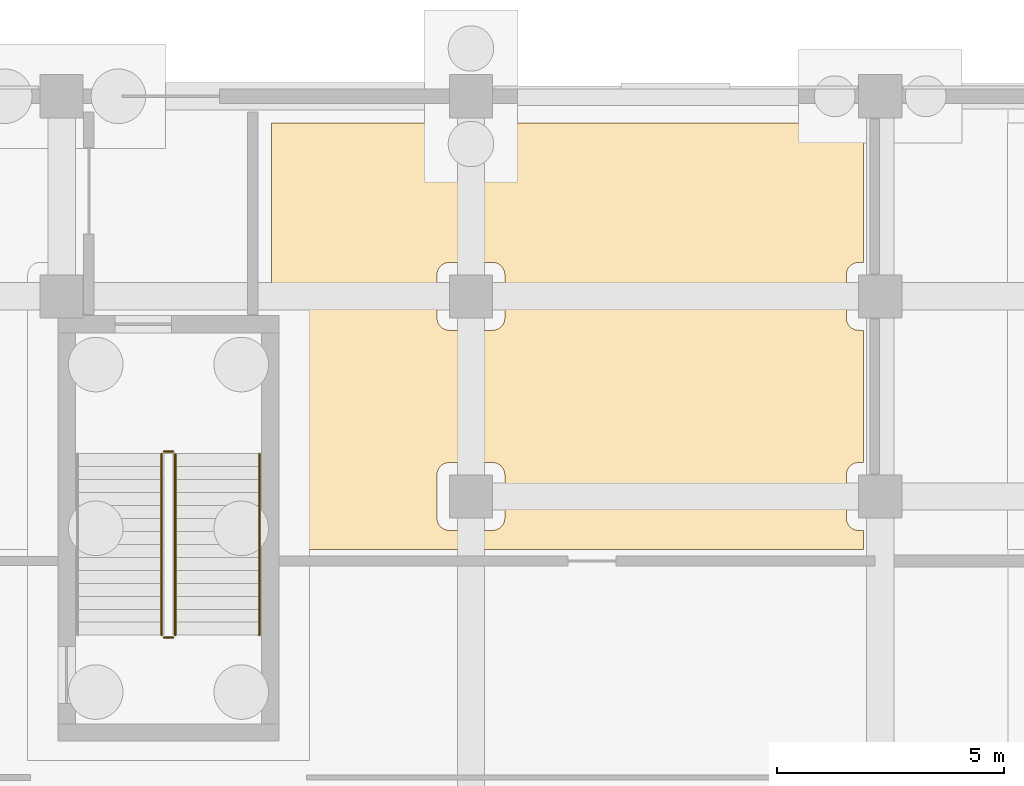
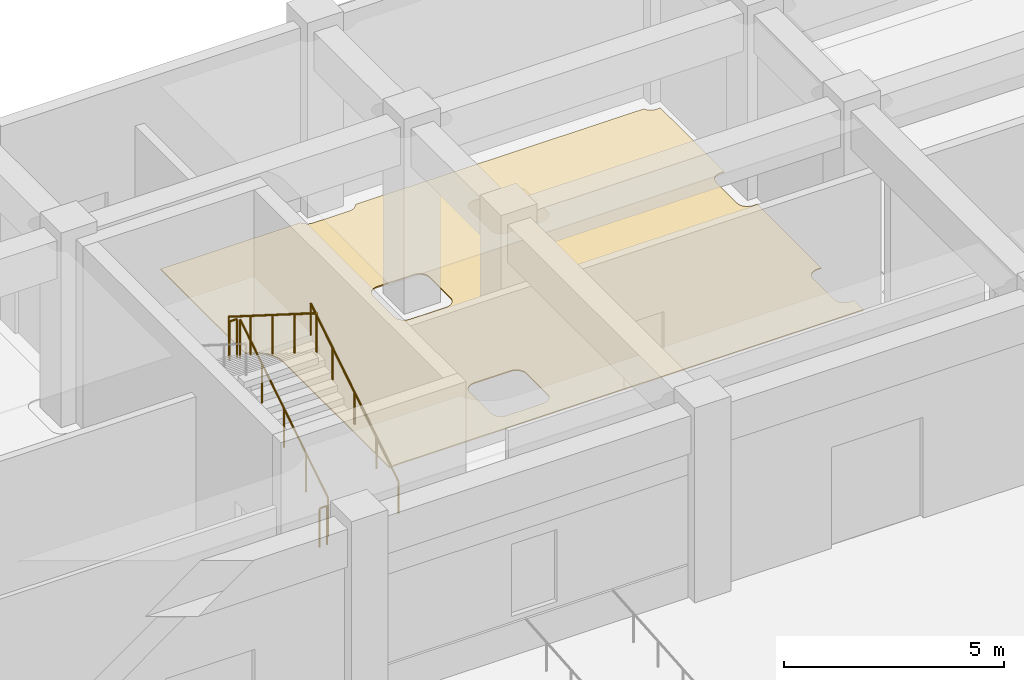
# One storey, part 67 of 74: 5 railings, 1 covering.
"""IFC4 building model written with IfcOpenShell, lengths in metres."""

from ifc_helpers import new_model, si_unit, direction, frame, origin, origin_2d, place, context, subcontext, project, spatial, polyline, circle, outline, extrude, material, layer, layer_set, type_object, element, save


model = new_model("IFC4")

# Units and contexts
model_context = context("Model", 3, precision=1e-05, world=origin(), true_north=direction((0.0, 1.0)))
body_context = subcontext(model_context, "Body", "Model", "MODEL_VIEW")
ifc_project = project(units=[si_unit("LENGTHUNIT", "METRE"), si_unit("AREAUNIT", "SQUARE_METRE"), si_unit("VOLUMEUNIT", "CUBIC_METRE"), si_unit("PLANEANGLEUNIT", "RADIAN"), si_unit("MASSUNIT", "GRAM", prefix="KILO")], contexts=[model_context])

# Site, building, storey
site_placement = place(None, origin())
site = spatial("IfcSite", under=ifc_project, at=site_placement, CompositionType="ELEMENT")
building_placement = place(site_placement, origin())
building = spatial("IfcBuilding", under=site, at=building_placement, Name="Cendralis Terraced Arcade", CompositionType="ELEMENT")
storey_placement = place(building_placement, origin())
storey = spatial("IfcBuildingStorey", under=building, at=storey_placement, Name="L00", CompositionType="ELEMENT", Elevation=0.0)

# Covering
ifc_material_1 = material(Name="Polished Bogota limestone terrazzo flooring", Category="masonry")
ifc_layer = layer(ifc_material_1, 0.030029296875, Name="COV-FLR-TERZ-30")
ifc_layer_set = layer_set([ifc_layer], Name="Polished Bogota limestone terrazzo flooring")
covering_type = type_object("IfcCoveringType", Name="COV-FLR-TERZ-30", PredefinedType="FLOORING", material=ifc_layer_set)
covering_placement = place(storey_placement, origin())
element("IfcCovering", 1, at=covering_placement, inside=storey, type_object=covering_type, Name="Interior Finish Flooring L00-038", PredefinedType="FLOORING", context=body_context, shape_type="SweptSolid", body=[
    extrude(outline(polyline([(107.81005859375, 115.409912109375), (111.480712890625, 115.409912109375), (111.4814453125, 115.40869140625), (111.492919921875, 115.386962890625), (111.493896484375, 115.385498046875), (111.507568359375, 115.364990234375), (111.5087890625, 115.36328125), (111.5244140625, 115.344482421875), (111.525634765625, 115.343017578125), (111.54296875, 115.32568359375), (111.54443359375, 115.32421875), (111.5634765625, 115.30859375), (111.56494140625, 115.3076171875), (111.58544921875, 115.2939453125), (111.5869140625, 115.29296875), (111.608642578125, 115.281494140625), (111.610595703125, 115.280517578125), (111.633056640625, 115.27099609375), (111.635009765625, 115.2705078125), (111.658447265625, 115.263427734375), (111.660400390625, 115.262939453125), (111.684326171875, 115.258056640625), (111.686279296875, 115.2578125), (111.710693359375, 115.25537109375), (111.712646484375, 115.25537109375), (111.72509765625, 115.2548828125), (112.675048828125, 115.2548828125), (112.687255859375, 115.25537109375), (112.689208984375, 115.25537109375), (112.713623046875, 115.2578125), (112.715576171875, 115.258056640625), (112.739501953125, 115.262939453125), (112.74169921875, 115.263427734375), (112.764892578125, 115.2705078125), (112.766845703125, 115.27099609375), (112.78955078125, 115.280517578125), (112.791259765625, 115.281494140625), (112.81298828125, 115.29296875), (112.814697265625, 115.2939453125), (112.8349609375, 115.3076171875), (112.836669921875, 115.30859375), (112.855712890625, 115.32421875), (112.85693359375, 115.32568359375), (112.87451171875, 115.343017578125), (112.875732421875, 115.344482421875), (112.891357421875, 115.36328125), (112.892333984375, 115.364990234375), (112.906005859375, 115.385498046875), (112.906982421875, 115.386962890625), (112.918701171875, 115.40869140625), (112.919189453125, 115.409912109375), (120.480712890625, 115.409912109375), (120.4814453125, 115.40869140625), (120.492919921875, 115.386962890625), (120.493896484375, 115.385498046875), (120.507568359375, 115.364990234375), (120.5087890625, 115.36328125), (120.5244140625, 115.344482421875), (120.525634765625, 115.343017578125), (120.54296875, 115.32568359375), (120.54443359375, 115.32421875), (120.5634765625, 115.30859375), (120.56494140625, 115.3076171875), (120.58544921875, 115.2939453125), (120.5869140625, 115.29296875), (120.608642578125, 115.281494140625), (120.610595703125, 115.280517578125), (120.633056640625, 115.27099609375), (120.635009765625, 115.2705078125), (120.658447265625, 115.263427734375), (120.660400390625, 115.262939453125), (120.684326171875, 115.258056640625), (120.686279296875, 115.2578125), (120.710693359375, 115.25537109375), (120.712646484375, 115.25537109375), (120.72509765625, 115.2548828125), (120.830078125, 115.2548828125), (120.830078125, 112.344970703125), (120.72509765625, 112.344970703125), (120.712646484375, 112.3447265625), (120.710693359375, 112.344482421875), (120.686279296875, 112.34228515625), (120.684326171875, 112.341796875), (120.660400390625, 112.337158203125), (120.658447265625, 112.336669921875), (120.635009765625, 112.32958984375), (120.633056640625, 112.328857421875), (120.610595703125, 112.319580078125), (120.608642578125, 112.318603515625), (120.5869140625, 112.30712890625), (120.58544921875, 112.30615234375), (120.56494140625, 112.29248046875), (120.5634765625, 112.291259765625), (120.54443359375, 112.275634765625), (120.54296875, 112.2744140625), (120.525634765625, 112.257080078125), (120.5244140625, 112.255615234375), (120.5087890625, 112.236572265625), (120.507568359375, 112.235107421875), (120.493896484375, 112.214599609375), (120.492919921875, 112.212890625), (120.4814453125, 112.19140625), (120.48046875, 112.189453125), (120.47119140625, 112.1669921875), (120.470458984375, 112.1650390625), (120.46337890625, 112.1416015625), (120.462890625, 112.1396484375), (120.4580078125, 112.115478515625), (120.457763671875, 112.113525390625), (120.455322265625, 112.089111328125), (120.455322265625, 112.08740234375), (120.455078125, 112.074951171875), (120.455078125, 111.125), (120.455322265625, 111.11279296875), (120.455322265625, 111.11083984375), (120.457763671875, 111.08642578125), (120.4580078125, 111.08447265625), (120.462890625, 111.060302734375), (120.46337890625, 111.058349609375), (120.470458984375, 111.034912109375), (120.47119140625, 111.033203125), (120.48046875, 111.010498046875), (120.4814453125, 111.0087890625), (120.492919921875, 110.987060546875), (120.493896484375, 110.9853515625), (120.507568359375, 110.965087890625), (120.5087890625, 110.96337890625), (120.5244140625, 110.9443359375), (120.525634765625, 110.943115234375), (120.54296875, 110.925537109375), (120.54443359375, 110.92431640625), (120.5634765625, 110.90869140625), (120.56494140625, 110.90771484375), (120.58544921875, 110.893798828125), (120.5869140625, 110.892822265625), (120.608642578125, 110.88134765625), (120.610595703125, 110.880615234375), (120.633056640625, 110.87109375), (120.635009765625, 110.87060546875), (120.658447265625, 110.86328125), (120.660400390625, 110.86279296875), (120.684326171875, 110.858154296875), (120.686279296875, 110.85791015625), (120.710693359375, 110.85546875), (120.712646484375, 110.855224609375), (120.72509765625, 110.85498046875), (120.830078125, 110.85498046875), (120.830078125, 107.945068359375), (120.72509765625, 107.945068359375), (120.712646484375, 107.944580078125), (120.710693359375, 107.944580078125), (120.686279296875, 107.942138671875), (120.684326171875, 107.94189453125), (120.660400390625, 107.93701171875), (120.658447265625, 107.9365234375), (120.635009765625, 107.929443359375), (120.633056640625, 107.928955078125), (120.610595703125, 107.91943359375), (120.608642578125, 107.918701171875), (120.5869140625, 107.906982421875), (120.58544921875, 107.906005859375), (120.56494140625, 107.892333984375), (120.5634765625, 107.891357421875), (120.54443359375, 107.875732421875), (120.54296875, 107.87451171875), (120.525634765625, 107.85693359375), (120.5244140625, 107.855712890625), (120.5087890625, 107.836669921875), (120.507568359375, 107.8349609375), (120.493896484375, 107.814697265625), (120.492919921875, 107.81298828125), (120.4814453125, 107.791259765625), (120.48046875, 107.78955078125), (120.47119140625, 107.766845703125), (120.470458984375, 107.764892578125), (120.46337890625, 107.74169921875), (120.462890625, 107.739501953125), (120.4580078125, 107.715576171875), (120.457763671875, 107.713623046875), (120.455322265625, 107.689208984375), (120.455322265625, 107.687255859375), (120.455078125, 107.675048828125), (120.455078125, 106.72509765625), (120.455322265625, 106.712646484375), (120.455322265625, 106.710693359375), (120.457763671875, 106.686279296875), (120.4580078125, 106.684326171875), (120.462890625, 106.660400390625), (120.46337890625, 106.658447265625), (120.470458984375, 106.635009765625), (120.47119140625, 106.633056640625), (120.48046875, 106.610595703125), (120.4814453125, 106.608642578125), (120.492919921875, 106.5869140625), (120.493896484375, 106.58544921875), (120.507568359375, 106.56494140625), (120.5087890625, 106.5634765625), (120.5244140625, 106.54443359375), (120.525634765625, 106.54296875), (120.54296875, 106.525634765625), (120.54443359375, 106.5244140625), (120.5634765625, 106.5087890625), (120.56494140625, 106.507568359375), (120.58544921875, 106.493896484375), (120.5869140625, 106.492919921875), (120.608642578125, 106.4814453125), (120.610595703125, 106.48046875), (120.633056640625, 106.47119140625), (120.635009765625, 106.470458984375), (120.658447265625, 106.46337890625), (120.660400390625, 106.462890625), (120.684326171875, 106.4580078125), (120.686279296875, 106.457763671875), (120.710693359375, 106.455322265625), (120.712646484375, 106.455322265625), (120.72509765625, 106.455078125), (120.830078125, 106.455078125), (120.830078125, 106.030029296875), (108.639892578125, 106.030029296875), (108.636962890625, 106.030029296875), (108.634033203125, 106.02978515625), (108.630859375, 106.02978515625), (108.625, 106.02978515625), (108.6220703125, 106.029541015625), (108.618896484375, 106.029541015625), (108.615966796875, 106.029296875), (108.55517578125, 106.0263671875), (108.549072265625, 106.02587890625), (108.543212890625, 106.025634765625), (108.537109375, 106.025146484375), (108.525390625, 106.02392578125), (108.519287109375, 106.023193359375), (108.513427734375, 106.0224609375), (108.50732421875, 106.021728515625), (108.447021484375, 106.0126953125), (108.441162109375, 106.01171875), (108.435302734375, 106.0107421875), (108.42919921875, 106.009765625), (108.417724609375, 106.00732421875), (108.41162109375, 106.006103515625), (108.406005859375, 106.0048828125), (108.39990234375, 106.00341796875), (108.389892578125, 106.0009765625), (108.389892578125, 110.800048828125), (108.389892578125, 110.80615234375), (108.389892578125, 110.81201171875), (108.3896484375, 110.818115234375), (108.387451171875, 110.859375), (108.38671875, 110.87158203125), (108.385498046875, 110.88330078125), (108.384033203125, 110.8955078125), (108.3779296875, 110.936279296875), (108.375732421875, 110.9482421875), (108.37353515625, 110.9599609375), (108.370849609375, 110.9716796875), (108.36083984375, 111.01171875), (108.357666015625, 111.023681640625), (108.35400390625, 111.034912109375), (108.350341796875, 111.046630859375), (108.33642578125, 111.08544921875), (108.33203125, 111.0966796875), (108.327392578125, 111.107666015625), (108.322509765625, 111.118896484375), (108.304931640625, 111.15625), (108.29931640625, 111.1669921875), (108.293701171875, 111.177490234375), (108.287841796875, 111.188232421875), (108.2666015625, 111.2236328125), (108.260009765625, 111.23388671875), (108.25341796875, 111.24365234375), (108.246337890625, 111.253662109375), (108.221923828125, 111.286865234375), (108.21435546875, 111.29638671875), (108.206787109375, 111.3056640625), (108.19873046875, 111.31494140625), (108.171142578125, 111.345458984375), (108.16259765625, 111.354248046875), (108.154296875, 111.36279296875), (108.1455078125, 111.37109375), (108.114990234375, 111.398681640625), (108.105712890625, 111.40673828125), (108.096435546875, 111.414306640625), (108.0869140625, 111.421875), (108.0537109375, 111.4462890625), (108.043701171875, 111.45361328125), (108.033935546875, 111.4599609375), (108.023681640625, 111.466552734375), (107.98828125, 111.48779296875), (107.9775390625, 111.493896484375), (107.967041015625, 111.49951171875), (107.956298828125, 111.5048828125), (107.9189453125, 111.5224609375), (107.90771484375, 111.527587890625), (107.896728515625, 111.531982421875), (107.885498046875, 111.536376953125), (107.8466796875, 111.55029296875), (107.8349609375, 111.55419921875), (107.823486328125, 111.5576171875), (107.811767578125, 111.560791015625), (107.81005859375, 111.561279296875), (107.81005859375, 115.409912109375)]), holes=[polyline([(111.58544921875, 106.493896484375), (111.5869140625, 106.492919921875), (111.608642578125, 106.4814453125), (111.610595703125, 106.48046875), (111.633056640625, 106.47119140625), (111.635009765625, 106.470458984375), (111.658447265625, 106.46337890625), (111.660400390625, 106.462890625), (111.684326171875, 106.4580078125), (111.686279296875, 106.457763671875), (111.710693359375, 106.455322265625), (111.712646484375, 106.455322265625), (111.72509765625, 106.455078125), (112.675048828125, 106.455078125), (112.687255859375, 106.455322265625), (112.689208984375, 106.455322265625), (112.713623046875, 106.457763671875), (112.715576171875, 106.4580078125), (112.739501953125, 106.462890625), (112.74169921875, 106.46337890625), (112.764892578125, 106.470458984375), (112.766845703125, 106.47119140625), (112.78955078125, 106.48046875), (112.791259765625, 106.4814453125), (112.81298828125, 106.492919921875), (112.814697265625, 106.493896484375), (112.8349609375, 106.507568359375), (112.836669921875, 106.5087890625), (112.855712890625, 106.5244140625), (112.85693359375, 106.525634765625), (112.87451171875, 106.54296875), (112.875732421875, 106.54443359375), (112.891357421875, 106.5634765625), (112.892333984375, 106.56494140625), (112.906005859375, 106.58544921875), (112.906982421875, 106.5869140625), (112.918701171875, 106.608642578125), (112.91943359375, 106.610595703125), (112.928955078125, 106.633056640625), (112.929443359375, 106.635009765625), (112.9365234375, 106.658447265625), (112.93701171875, 106.660400390625), (112.94189453125, 106.684326171875), (112.942138671875, 106.686279296875), (112.944580078125, 106.710693359375), (112.944580078125, 106.712646484375), (112.945068359375, 106.72509765625), (112.945068359375, 107.675048828125), (112.944580078125, 107.687255859375), (112.944580078125, 107.689208984375), (112.942138671875, 107.713623046875), (112.94189453125, 107.715576171875), (112.93701171875, 107.739501953125), (112.9365234375, 107.74169921875), (112.929443359375, 107.764892578125), (112.928955078125, 107.766845703125), (112.91943359375, 107.78955078125), (112.918701171875, 107.791259765625), (112.906982421875, 107.81298828125), (112.906005859375, 107.814697265625), (112.892333984375, 107.8349609375), (112.891357421875, 107.836669921875), (112.875732421875, 107.855712890625), (112.87451171875, 107.85693359375), (112.85693359375, 107.87451171875), (112.855712890625, 107.875732421875), (112.836669921875, 107.891357421875), (112.8349609375, 107.892333984375), (112.814697265625, 107.906005859375), (112.81298828125, 107.906982421875), (112.791259765625, 107.918701171875), (112.78955078125, 107.91943359375), (112.766845703125, 107.928955078125), (112.764892578125, 107.929443359375), (112.74169921875, 107.9365234375), (112.739501953125, 107.93701171875), (112.715576171875, 107.94189453125), (112.713623046875, 107.942138671875), (112.689208984375, 107.944580078125), (112.687255859375, 107.944580078125), (112.675048828125, 107.945068359375), (111.72509765625, 107.945068359375), (111.712646484375, 107.944580078125), (111.710693359375, 107.944580078125), (111.686279296875, 107.942138671875), (111.684326171875, 107.94189453125), (111.660400390625, 107.93701171875), (111.658447265625, 107.9365234375), (111.635009765625, 107.929443359375), (111.633056640625, 107.928955078125), (111.610595703125, 107.91943359375), (111.608642578125, 107.918701171875), (111.5869140625, 107.906982421875), (111.58544921875, 107.906005859375), (111.56494140625, 107.892333984375), (111.5634765625, 107.891357421875), (111.54443359375, 107.875732421875), (111.54296875, 107.87451171875), (111.525634765625, 107.85693359375), (111.5244140625, 107.855712890625), (111.5087890625, 107.836669921875), (111.507568359375, 107.8349609375), (111.493896484375, 107.814697265625), (111.492919921875, 107.81298828125), (111.4814453125, 107.791259765625), (111.48046875, 107.78955078125), (111.47119140625, 107.766845703125), (111.470458984375, 107.764892578125), (111.46337890625, 107.74169921875), (111.462890625, 107.739501953125), (111.4580078125, 107.715576171875), (111.457763671875, 107.713623046875), (111.455322265625, 107.689208984375), (111.455322265625, 107.687255859375), (111.455078125, 107.675048828125), (111.455078125, 106.72509765625), (111.455322265625, 106.712646484375), (111.455322265625, 106.710693359375), (111.457763671875, 106.686279296875), (111.4580078125, 106.684326171875), (111.462890625, 106.660400390625), (111.46337890625, 106.658447265625), (111.470458984375, 106.635009765625), (111.47119140625, 106.633056640625), (111.48046875, 106.610595703125), (111.4814453125, 106.608642578125), (111.492919921875, 106.5869140625), (111.493896484375, 106.58544921875), (111.507568359375, 106.56494140625), (111.5087890625, 106.5634765625), (111.5244140625, 106.54443359375), (111.525634765625, 106.54296875), (111.54296875, 106.525634765625), (111.54443359375, 106.5244140625), (111.5634765625, 106.5087890625), (111.56494140625, 106.507568359375), (111.58544921875, 106.493896484375)]), polyline([(111.58544921875, 110.893798828125), (111.5869140625, 110.892822265625), (111.608642578125, 110.88134765625), (111.610595703125, 110.880615234375), (111.633056640625, 110.87109375), (111.635009765625, 110.87060546875), (111.658447265625, 110.86328125), (111.660400390625, 110.86279296875), (111.684326171875, 110.858154296875), (111.686279296875, 110.85791015625), (111.710693359375, 110.85546875), (111.712646484375, 110.855224609375), (111.72509765625, 110.85498046875), (112.675048828125, 110.85498046875), (112.687255859375, 110.855224609375), (112.689208984375, 110.85546875), (112.713623046875, 110.85791015625), (112.715576171875, 110.858154296875), (112.739501953125, 110.86279296875), (112.74169921875, 110.86328125), (112.764892578125, 110.87060546875), (112.766845703125, 110.87109375), (112.78955078125, 110.880615234375), (112.791259765625, 110.88134765625), (112.81298828125, 110.892822265625), (112.814697265625, 110.893798828125), (112.8349609375, 110.90771484375), (112.836669921875, 110.90869140625), (112.855712890625, 110.92431640625), (112.85693359375, 110.925537109375), (112.87451171875, 110.943115234375), (112.875732421875, 110.9443359375), (112.891357421875, 110.96337890625), (112.892333984375, 110.965087890625), (112.906005859375, 110.9853515625), (112.906982421875, 110.987060546875), (112.918701171875, 111.0087890625), (112.91943359375, 111.010498046875), (112.928955078125, 111.033203125), (112.929443359375, 111.034912109375), (112.9365234375, 111.058349609375), (112.93701171875, 111.060302734375), (112.94189453125, 111.08447265625), (112.942138671875, 111.08642578125), (112.944580078125, 111.11083984375), (112.944580078125, 111.11279296875), (112.945068359375, 111.125), (112.945068359375, 112.074951171875), (112.944580078125, 112.08740234375), (112.944580078125, 112.089111328125), (112.942138671875, 112.113525390625), (112.94189453125, 112.115478515625), (112.93701171875, 112.1396484375), (112.9365234375, 112.1416015625), (112.929443359375, 112.1650390625), (112.928955078125, 112.1669921875), (112.91943359375, 112.189453125), (112.918701171875, 112.19140625), (112.906982421875, 112.212890625), (112.906005859375, 112.214599609375), (112.892333984375, 112.235107421875), (112.891357421875, 112.236572265625), (112.875732421875, 112.255615234375), (112.87451171875, 112.257080078125), (112.85693359375, 112.2744140625), (112.855712890625, 112.275634765625), (112.836669921875, 112.291259765625), (112.8349609375, 112.29248046875), (112.814697265625, 112.30615234375), (112.81298828125, 112.30712890625), (112.791259765625, 112.318603515625), (112.78955078125, 112.319580078125), (112.766845703125, 112.328857421875), (112.764892578125, 112.32958984375), (112.74169921875, 112.336669921875), (112.739501953125, 112.337158203125), (112.715576171875, 112.341796875), (112.713623046875, 112.34228515625), (112.689208984375, 112.344482421875), (112.687255859375, 112.3447265625), (112.675048828125, 112.344970703125), (111.72509765625, 112.344970703125), (111.712646484375, 112.3447265625), (111.710693359375, 112.344482421875), (111.686279296875, 112.34228515625), (111.684326171875, 112.341796875), (111.660400390625, 112.337158203125), (111.658447265625, 112.336669921875), (111.635009765625, 112.32958984375), (111.633056640625, 112.328857421875), (111.610595703125, 112.319580078125), (111.608642578125, 112.318603515625), (111.5869140625, 112.30712890625), (111.58544921875, 112.30615234375), (111.56494140625, 112.29248046875), (111.5634765625, 112.291259765625), (111.54443359375, 112.275634765625), (111.54296875, 112.2744140625), (111.525634765625, 112.257080078125), (111.5244140625, 112.255615234375), (111.5087890625, 112.236572265625), (111.507568359375, 112.235107421875), (111.493896484375, 112.214599609375), (111.492919921875, 112.212890625), (111.4814453125, 112.19140625), (111.48046875, 112.189453125), (111.47119140625, 112.1669921875), (111.470458984375, 112.1650390625), (111.46337890625, 112.1416015625), (111.462890625, 112.1396484375), (111.4580078125, 112.115478515625), (111.457763671875, 112.113525390625), (111.455322265625, 112.089111328125), (111.455322265625, 112.08740234375), (111.455078125, 112.074951171875), (111.455078125, 111.125), (111.455322265625, 111.11279296875), (111.455322265625, 111.11083984375), (111.457763671875, 111.08642578125), (111.4580078125, 111.08447265625), (111.462890625, 111.060302734375), (111.46337890625, 111.058349609375), (111.470458984375, 111.034912109375), (111.47119140625, 111.033203125), (111.48046875, 111.010498046875), (111.4814453125, 111.0087890625), (111.492919921875, 110.987060546875), (111.493896484375, 110.9853515625), (111.507568359375, 110.965087890625), (111.5087890625, 110.96337890625), (111.5244140625, 110.9443359375), (111.525634765625, 110.943115234375), (111.54296875, 110.925537109375), (111.54443359375, 110.92431640625), (111.5634765625, 110.90869140625), (111.56494140625, 110.90771484375), (111.58544921875, 110.893798828125)])]), origin(), (0.0, 0.0, 1.0), 0.030029296875),
])

# Railings
ifc_material_2 = material(Name="Brushed stainless steel AISI 316", Category="steel")
railing_type_1 = type_object("IfcRailingType", Name="RL-STAIR-GUARD-1100", PredefinedType="GUARDRAIL", material=ifc_material_2)
railing_1_placement = place(storey_placement, frame((105.699951171875, 104.14990234375, 0.179931640625)))
element("IfcRailing", 2, at=railing_1_placement, inside=storey, type_object=railing_type_1, Name="L00 ST-10 stair guard 1", PredefinedType="GUARDRAIL", context=body_context, shape_type="SweptSolid", body=[
    extrude(circle(Radius=0.02392578125, at=origin_2d()), frame((0.0, 0.0, 1.076171875), z_axis=(0.0, 0.845486444383, 0.533996884227), x_axis=(-1.0, 0.0, 0.0)), (0.0, 0.0, 1.0), 4.71923828125),
    extrude(circle(Radius=0.02099609375, at=origin_2d()), origin(), (0.0, 0.0, 1.0), 1.052001953125),
    extrude(circle(Radius=0.02099609375, at=origin_2d()), frame((0.0, 0.99755859375, 0.6298828125)), (0.0, 0.0, 1.0), 1.052001953125),
    extrude(circle(Radius=0.02099609375, at=origin_2d()), frame((0.0, 1.9951171875, 1.260009765625)), (0.0, 0.0, 1.0), 1.052001953125),
    extrude(circle(Radius=0.02099609375, at=origin_2d()), frame((0.0, 2.992431640625, 1.89013671875)), (0.0, 0.0, 1.0), 1.052001953125),
    extrude(circle(Radius=0.02099609375, at=origin_2d()), frame((0.0, 3.989990234375, 2.52001953125)), (0.0, 0.0, 1.0), 1.052001953125),
])
railing_2_placement = place(storey_placement, frame((105.64990234375, 108.18994140625, 2.699951171875)))
element("IfcRailing", 3, at=railing_2_placement, inside=storey, type_object=railing_type_1, Name="L00 ST-10 stair guard 2", PredefinedType="GUARDRAIL", context=body_context, shape_type="SweptSolid", body=[
    extrude(circle(Radius=0.02392578125, at=origin_2d()), frame((0.0, 0.0, 1.076171875), z_axis=(-1.0, 0.0, 0.0), x_axis=(0.0, -1.0, 0.0)), (0.0, 0.0, 1.0), 0.199951171875),
    extrude(circle(Radius=0.02099609375, at=origin_2d()), origin(), (0.0, 0.0, 1.0), 1.052001953125),
    extrude(circle(Radius=0.02099609375, at=origin_2d()), frame((-0.199951171875, 0.0, 0.0)), (0.0, 0.0, 1.0), 1.052001953125),
])
railing_3_placement = place(storey_placement, frame((105.39990234375, 108.139892578125, 2.8798828125)))
element("IfcRailing", 4, at=railing_3_placement, inside=storey, type_object=railing_type_1, Name="L00 ST-10 stair guard 3", PredefinedType="GUARDRAIL", context=body_context, shape_type="SweptSolid", body=[
    extrude(circle(Radius=0.02392578125, at=origin_2d()), frame((0.0, 0.0, 1.076171875), z_axis=(0.0, -0.845486444383, 0.533996884227), x_axis=(1.0, 0.0, 0.0)), (0.0, 0.0, 1.0), 4.71923828125),
    extrude(circle(Radius=0.02099609375, at=origin_2d()), origin(), (0.0, 0.0, 1.0), 1.052001953125),
    extrude(circle(Radius=0.02099609375, at=origin_2d()), frame((0.0, -0.99755859375, 0.6298828125)), (0.0, 0.0, 1.0), 1.052001953125),
    extrude(circle(Radius=0.02099609375, at=origin_2d()), frame((0.0, -1.9951171875, 1.260009765625)), (0.0, 0.0, 1.0), 1.052001953125),
    extrude(circle(Radius=0.02099609375, at=origin_2d()), frame((0.0, -2.992431640625, 1.89013671875)), (0.0, 0.0, 1.0), 1.052001953125),
    extrude(circle(Radius=0.02099609375, at=origin_2d()), frame((0.0, -3.989990234375, 2.52001953125)), (0.0, 0.0, 1.0), 1.052001953125),
])
railing_4_placement = place(storey_placement, frame((105.64990234375, 104.10009765625, 0.0)))
element("IfcRailing", 5, at=railing_4_placement, inside=storey, type_object=railing_type_1, Name="L00 ST-10 stair guard 4", PredefinedType="GUARDRAIL", context=body_context, shape_type="SweptSolid", body=[
    extrude(circle(Radius=0.02392578125, at=origin_2d()), frame((0.0, 0.0, 1.076171875), z_axis=(-1.0, 0.0, 0.0), x_axis=(0.0, -1.0, 0.0)), (0.0, 0.0, 1.0), 0.199951171875),
    extrude(circle(Radius=0.02099609375, at=origin_2d()), origin(), (0.0, 0.0, 1.0), 1.052001953125),
    extrude(circle(Radius=0.02099609375, at=origin_2d()), frame((-0.199951171875, 0.0, 0.0)), (0.0, 0.0, 1.0), 1.052001953125),
])
railing_type_2 = type_object("IfcRailingType", Name="RL-STAIR-HAND-900", PredefinedType="HANDRAIL", material=ifc_material_2)
railing_5_placement = place(storey_placement, frame((107.550048828125, 104.14990234375, 0.179931640625)))
element("IfcRailing", 6, at=railing_5_placement, inside=storey, type_object=railing_type_2, Name="L00 ST-10 stair handrail 1", PredefinedType="HANDRAIL", context=body_context, shape_type="SweptSolid", body=[
    extrude(circle(Radius=0.02392578125, at=origin_2d()), frame((0.0, 0.0, 0.8759765625), z_axis=(0.0, 0.845486444383, 0.533996884227), x_axis=(-1.0, 0.0, 0.0)), (0.0, 0.0, 1.0), 4.71923828125),
    extrude(circle(Radius=0.02099609375, at=origin_2d()), origin(), (0.0, 0.0, 1.0), 0.851806640625),
    extrude(circle(Radius=0.02099609375, at=origin_2d()), frame((0.0, 0.99755859375, 0.6298828125)), (0.0, 0.0, 1.0), 0.851806640625),
    extrude(circle(Radius=0.02099609375, at=origin_2d()), frame((0.0, 1.9951171875, 1.260009765625)), (0.0, 0.0, 1.0), 0.851806640625),
    extrude(circle(Radius=0.02099609375, at=origin_2d()), frame((0.0, 2.992431640625, 1.89013671875)), (0.0, 0.0, 1.0), 0.851806640625),
    extrude(circle(Radius=0.02099609375, at=origin_2d()), frame((0.0, 3.989990234375, 2.52001953125)), (0.0, 0.0, 1.0), 0.851806640625),
])

save(model, "model.ifc")
